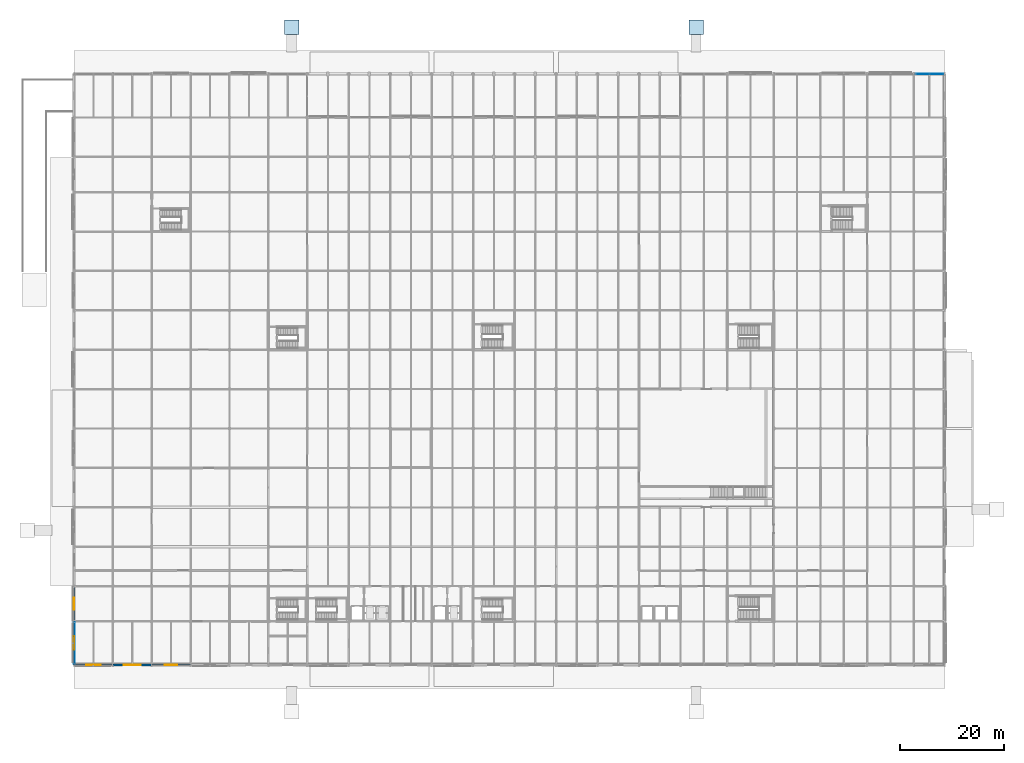
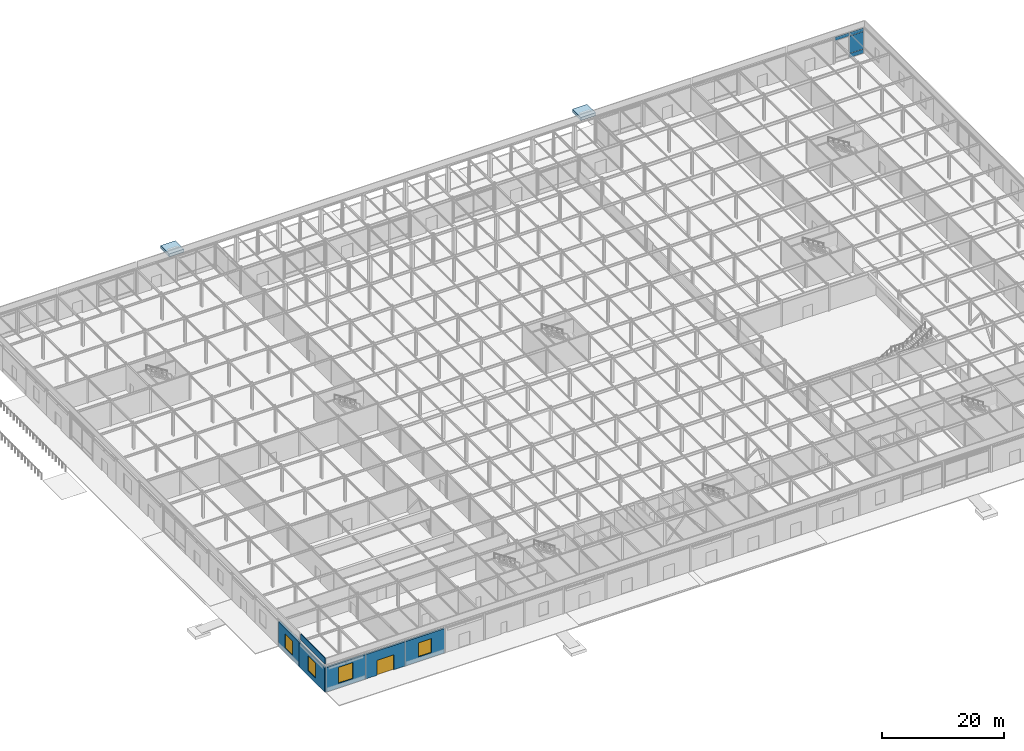
# One storey, part 59 of 89: 6 walls, 4 plates, 4 windows, 2 slabs, 1 door, 5 openings, 1 element without a shape of its own.
"""IFC4 building model written with IfcOpenShell, lengths in metres."""

from ifc_helpers import new_model, si_unit, direction, frame, frame_2d, origin, origin_2d, place, context, subcontext, project, spatial, polyline, rectangle, outline, extrude, material, layer, layer_set, type_object, element, fill, aggregate, save


model = new_model("IFC4")

# Units and contexts
model_context = context("Model", 3, precision=1e-05, world=origin(), true_north=direction((0.0, 1.0)))
body_context = subcontext(model_context, "Body", "Model", "MODEL_VIEW")
ifc_project = project(units=[si_unit("LENGTHUNIT", "METRE"), si_unit("AREAUNIT", "SQUARE_METRE"), si_unit("VOLUMEUNIT", "CUBIC_METRE"), si_unit("PLANEANGLEUNIT", "RADIAN"), si_unit("MASSUNIT", "GRAM", prefix="KILO")], contexts=[model_context])

# Site, building, storey
site_placement = place(None, origin())
site = spatial("IfcSite", under=ifc_project, at=site_placement, CompositionType="ELEMENT")
building_placement = place(site_placement, origin())
building = spatial("IfcBuilding", under=site, at=building_placement, Name="Shalkamar Park Central Library", CompositionType="ELEMENT")
storey_placement = place(building_placement, origin())
storey = spatial("IfcBuildingStorey", under=building, at=storey_placement, Name="L01", CompositionType="ELEMENT", Elevation=0.0)

# Slabs
ifc_material_1 = material(Name="Concrete C35/45", Category="concrete")
ifc_layer_1 = layer(ifc_material_1, 0.60009765625)
ifc_layer_set_1 = layer_set([ifc_layer_1], Name="Concrete C35/45")
slab_type = type_object("IfcSlabType", Name="Basement Base Slab 600", PredefinedType="BASESLAB", material=ifc_layer_set_1)
slab_1_placement = place(storey_placement, frame((0.0, 0.0, -0.89990234375)))
element("IfcSlab", 1, at=slab_1_placement, inside=storey, type_object=slab_type, Name="Approach Grade Pad RMP-N-W", PredefinedType="BASESLAB", context=body_context, shape_type="SweptSolid", body=[
    extrude(outline(polyline([(160.60009765625, 361.60009765625), (163.39990234375, 361.60009765625), (163.39990234375, 364.39990234375), (160.60009765625, 364.39990234375), (160.60009765625, 361.60009765625)])), origin(), (0.0, 0.0, 1.0), 0.599853515625),
])
slab_2_placement = place(storey_placement, frame((0.0, 0.0, -0.89990234375)))
element("IfcSlab", 2, at=slab_2_placement, inside=storey, type_object=slab_type, Name="Approach Grade Pad RMP-N-E", PredefinedType="BASESLAB", context=body_context, shape_type="SweptSolid", body=[
    extrude(outline(polyline([(238.60009765625, 361.60009765625), (241.39990234375, 361.60009765625), (241.39990234375, 364.39990234375), (238.60009765625, 364.39990234375), (238.60009765625, 361.60009765625)])), origin(), (0.0, 0.0, 1.0), 0.599853515625),
])

# Curtain wall, plates
ifc_material_2 = material(Name="Thermally broken aluminium and triple low-e curtain wall", Category="aluminium")
ifc_layer_2 = layer(ifc_material_2, 0.27001953125)
ifc_layer_set_2 = layer_set([ifc_layer_2], Name="UnitisedCurtainWall_13")
curtain_wall_type = type_object("IfcCurtainWallType", Name="Unitised Curtain Wall 13", PredefinedType="USERDEFINED", material=ifc_layer_set_2)
curtain_wall_placement = place(storey_placement, origin())
curtain_wall = element("IfcCurtainWall", 3, at=curtain_wall_placement, inside=storey, type_object=curtain_wall_type, Name="Unitised Curtain Wall CW-L01-014", ObjectType="UNITISED CURTAIN WALL", PredefinedType="USERDEFINED")
ifc_material_3 = material(Name="Triple-glazed laminated glass", Category="glass")
ifc_layer_3 = layer(ifc_material_3, 0.06005859375)
ifc_layer_set_3 = layer_set([ifc_layer_3], Name="TripleGlazedPodiumPanel_60")
plate_type = type_object("IfcPlateType", Name="Triple Glazed Podium Panel 60", PredefinedType="CURTAIN_PANEL", material=ifc_layer_set_3)
plate_1_placement = place(storey_placement, frame((283.6533203125, 354.0, 4.4326171875), z_axis=(0.0, 0.0, 1.0), x_axis=(1.0, 0.0, 0.0)))
plate_1 = element("IfcPlate", 4, at=plate_1_placement, type_object=plate_type, Name="CW-13 panel 1.3", PredefinedType="CURTAIN_PANEL", context=body_context, shape_type="SweptSolid", body=[
    extrude(rectangle(XDim=2.638427734375, YDim=0.06005859375, at=origin_2d()), origin(), (0.0, 0.0, 1.0), 0.652587890625),
])
plate_2_placement = place(storey_placement, frame((286.371826171875, 354.0, 0.06494140625), z_axis=(0.0, 0.0, 1.0), x_axis=(1.0, 0.0, 0.0)))
plate_2 = element("IfcPlate", 5, at=plate_2_placement, type_object=plate_type, Name="CW-13 panel 2.1", PredefinedType="CURTAIN_PANEL", context=body_context, shape_type="SweptSolid", body=[
    extrude(rectangle(XDim=2.638427734375, YDim=0.06005859375, at=origin_2d()), origin(), (0.0, 0.0, 1.0), 0.802490234375),
])
plate_3_placement = place(storey_placement, frame((286.371826171875, 354.0, 0.932373046875), z_axis=(0.0, 0.0, 1.0), x_axis=(1.0, 0.0, 0.0)))
plate_3 = element("IfcPlate", 6, at=plate_3_placement, type_object=plate_type, Name="CW-13 panel 2.2", PredefinedType="CURTAIN_PANEL", context=body_context, shape_type="SweptSolid", body=[
    extrude(rectangle(XDim=2.638427734375, YDim=0.06005859375, at=origin_2d()), origin(), (0.0, 0.0, 1.0), 3.43505859375),
])
plate_4_placement = place(storey_placement, frame((286.371826171875, 354.0, 4.4326171875), z_axis=(0.0, 0.0, 1.0), x_axis=(1.0, 0.0, 0.0)))
plate_4 = element("IfcPlate", 7, at=plate_4_placement, type_object=plate_type, Name="CW-13 panel 2.3", PredefinedType="CURTAIN_PANEL", context=body_context, shape_type="SweptSolid", body=[
    extrude(rectangle(XDim=2.638427734375, YDim=0.06005859375, at=origin_2d()), origin(), (0.0, 0.0, 1.0), 0.652587890625),
])
aggregate(curtain_wall, [plate_1, plate_2, plate_3, plate_4])

# Wall, opening, window
ifc_material_4 = material(Name="Concrete C35/45 precast", Category="concrete")
ifc_layer_4 = layer(ifc_material_4, 0.320068359375)
ifc_layer_set_4 = layer_set([ifc_layer_4], Name="Concrete C35/45 precast")
wall_type_1 = type_object("IfcWallType", Name="Granite Plinth External Wall 320", PredefinedType="SOLIDWALL", material=ifc_layer_set_4)
wall_1_placement = place(storey_placement, frame((120.006103515625, 240.0, 0.0), z_axis=(0.0, 0.0, 1.0), x_axis=(1.0, 0.0, 0.0)))
wall_1 = element("IfcWall", 8, at=wall_1_placement, inside=storey, type_object=wall_type_1, Name="Exterior Facade Wall WL-EXT-L01-001", PredefinedType="SOLIDWALL", context=body_context, shape_type="SweptSolid", body=[
    extrude(rectangle(XDim=7.48779296875, YDim=0.320068359375, at=frame_2d((3.743896484375, 0.0))), origin(), (0.0, 0.0, 1.0), 4.8779296875),
])
opening_1_placement = place(wall_1_placement, frame((2.343994140625, 0.0, 0.949951171875)))
opening_1 = element("IfcOpeningElement", 9, at=opening_1_placement, cuts=wall_1, Name="Opening WN-01", PredefinedType="OPENING", context=body_context, shape_type="SweptSolid", body=[
    extrude(rectangle(XDim=2.800048828125, YDim=3.199951171875, at=frame_2d((1.39990234375, 1.60009765625))), frame((0.0, 0.1748046875, 0.0), z_axis=(0.0, -1.0, 0.0), x_axis=(1.0, 0.0, 0.0)), (0.0, 0.0, 1.0), 0.349853515625),
])
ifc_material_5 = material(Name="Thermally broken aluminium and triple low-e glass", Category="glass")
window_type_1 = type_object("IfcWindowType", Name="Podium Window 2800x3200", PartitioningType="DOUBLE_PANEL_VERTICAL", PredefinedType="WINDOW", material=ifc_material_5)
window_1_placement = place(opening_1_placement, origin())
window_1 = element("IfcWindow", 10, at=window_1_placement, inside=storey, type_object=window_type_1, Name="Facade Window WN-L01-001", OverallHeight=3.199951171875, OverallWidth=2.800048828125, PartitioningType="DOUBLE_PANEL_VERTICAL", PredefinedType="WINDOW", context=body_context, shape_type="SweptSolid", body=[
    extrude(rectangle(XDim=2.800048828125, YDim=3.199951171875, at=frame_2d((1.39990234375, 1.60009765625))), frame((0.0, 0.030029296875, 0.0), z_axis=(0.0, -1.0, 0.0), x_axis=(1.0, 0.0, 0.0)), (0.0, 0.0, 1.0), 0.06005859375),
])
fill(opening_1, window_1)

# Wall, opening, door
wall_2_placement = place(storey_placement, frame((127.506103515625, 240.0, 0.0), z_axis=(0.0, 0.0, 1.0), x_axis=(1.0, 0.0, 0.0)))
wall_2 = element("IfcWall", 11, at=wall_2_placement, inside=storey, type_object=wall_type_1, Name="Exterior Facade Wall WL-EXT-L01-002", PredefinedType="SOLIDWALL", context=body_context, shape_type="SweptSolid", body=[
    extrude(rectangle(XDim=7.48779296875, YDim=0.320068359375, at=frame_2d((3.743896484375, 0.0))), origin(), (0.0, 0.0, 1.0), 4.8779296875),
])
opening_2_placement = place(wall_2_placement, frame((2.14404296875, 0.0, 0.0)))
opening_2 = element("IfcOpeningElement", 12, at=opening_2_placement, cuts=wall_2, Name="Opening ED-L01-001", PredefinedType="OPENING", context=body_context, shape_type="SweptSolid", body=[
    extrude(rectangle(XDim=3.199951171875, YDim=3.0, at=frame_2d((1.60009765625, 1.5))), frame((0.0, 0.1748046875, 0.0), z_axis=(0.0, -1.0, 0.0), x_axis=(1.0, 0.0, 0.0)), (0.0, 0.0, 1.0), 0.349853515625),
])
ifc_material_6 = material(Name="Thermally broken insulated aluminium and glazed door", Category="aluminium")
door_type = type_object("IfcDoorType", Name="Book Loading Dock Shutter 3200x3000", OperationType="DOUBLE_DOOR_SINGLE_SWING", PredefinedType="DOOR", material=ifc_material_6)
door_placement = place(opening_2_placement, frame((3.199951171875, 0.0, 0.0), z_axis=(0.0, 0.0, 1.0), x_axis=(-1.0, 0.0, 0.0)))
door = element("IfcDoor", 13, at=door_placement, inside=storey, type_object=door_type, Name="Book Delivery Loading Dock Shutter", OperationType="ROLLINGUP", OverallHeight=3.0, OverallWidth=3.199951171875, PredefinedType="DOOR", context=body_context, shape_type="SweptSolid", body=[
    extrude(rectangle(XDim=3.199951171875, YDim=3.0, at=frame_2d((1.60009765625, 1.5))), frame((0.0, 0.02490234375, 0.0), z_axis=(0.0, -1.0, 0.0), x_axis=(1.0, 0.0, 0.0)), (0.0, 0.0, 1.0), 0.050048828125),
])
fill(opening_2, door)

# Wall, opening, window
wall_3_placement = place(storey_placement, frame((135.006103515625, 240.0, 0.0), z_axis=(0.0, 0.0, 1.0), x_axis=(1.0, 0.0, 0.0)))
wall_3 = element("IfcWall", 14, at=wall_3_placement, inside=storey, type_object=wall_type_1, Name="Exterior Facade Wall WL-EXT-L01-003", PredefinedType="SOLIDWALL", context=body_context, shape_type="SweptSolid", body=[
    extrude(rectangle(XDim=7.48779296875, YDim=0.320068359375, at=frame_2d((3.743896484375, 0.0))), origin(), (0.0, 0.0, 1.0), 4.8779296875),
])
opening_3_placement = place(wall_3_placement, frame((2.5439453125, 0.0, 0.949951171875)))
opening_3 = element("IfcOpeningElement", 15, at=opening_3_placement, cuts=wall_3, Name="Opening WN-03", PredefinedType="OPENING", context=body_context, shape_type="SweptSolid", body=[
    extrude(rectangle(XDim=2.39990234375, YDim=2.800048828125, at=frame_2d((1.199951171875, 1.39990234375))), frame((0.0, 0.1748046875, 0.0), z_axis=(0.0, -1.0, 0.0), x_axis=(1.0, 0.0, 0.0)), (0.0, 0.0, 1.0), 0.349853515625),
])
window_type_2 = type_object("IfcWindowType", Name="Podium Window 2400x2800", PartitioningType="DOUBLE_PANEL_VERTICAL", PredefinedType="WINDOW", material=ifc_material_5)
window_2_placement = place(opening_3_placement, origin())
window_2 = element("IfcWindow", 16, at=window_2_placement, inside=storey, type_object=window_type_2, Name="Facade Window WN-L01-002", OverallHeight=2.800048828125, OverallWidth=2.39990234375, PartitioningType="DOUBLE_PANEL_VERTICAL", PredefinedType="WINDOW", context=body_context, shape_type="SweptSolid", body=[
    extrude(rectangle(XDim=2.39990234375, YDim=2.800048828125, at=frame_2d((1.199951171875, 1.39990234375))), frame((0.0, 0.030029296875, 0.0), z_axis=(0.0, -1.0, 0.0), x_axis=(1.0, 0.0, 0.0)), (0.0, 0.0, 1.0), 0.06005859375),
])
fill(opening_3, window_2)

wall_4_placement = place(storey_placement, frame((120.0, 240.006103515625, 0.0), z_axis=(0.0, 0.0, 1.0), x_axis=(0.0, 1.0, 0.0)))
wall_4 = element("IfcWall", 17, at=wall_4_placement, inside=storey, type_object=wall_type_1, Name="Exterior Facade Wall WL-EXT-L01-029", PredefinedType="SOLIDWALL", context=body_context, shape_type="SweptSolid", body=[
    extrude(rectangle(XDim=8.387939453125, YDim=0.320068359375, at=frame_2d((4.19384765625, 0.0))), origin(), (0.0, 0.0, 1.0), 4.837890625),
])
opening_4_placement = place(wall_4_placement, frame((2.89404296875, 0.0, 0.949951171875)))
opening_4 = element("IfcOpeningElement", 18, at=opening_4_placement, cuts=wall_4, Name="Opening WN-02", PredefinedType="OPENING", context=body_context, shape_type="SweptSolid", body=[
    extrude(rectangle(XDim=2.60009765625, YDim=3.0, at=frame_2d((1.300048828125, 1.5))), frame((0.0, 0.1748046875, 0.0), z_axis=(0.0, -1.0, 0.0), x_axis=(1.0, 0.0, 0.0)), (0.0, 0.0, 1.0), 0.349853515625),
])
window_type_3 = type_object("IfcWindowType", Name="Podium Window 2600x3000", PartitioningType="DOUBLE_PANEL_VERTICAL", PredefinedType="WINDOW", material=ifc_material_5)
window_3_placement = place(opening_4_placement, origin())
window_3 = element("IfcWindow", 19, at=window_3_placement, inside=storey, type_object=window_type_3, Name="Facade Window WN-L01-006", OverallHeight=3.0, OverallWidth=2.60009765625, PartitioningType="DOUBLE_PANEL_VERTICAL", PredefinedType="WINDOW", context=body_context, shape_type="SweptSolid", body=[
    extrude(rectangle(XDim=2.60009765625, YDim=3.0, at=frame_2d((1.300048828125, 1.5))), frame((0.0, 0.030029296875, 0.0), z_axis=(0.0, -1.0, 0.0), x_axis=(1.0, 0.0, 0.0)), (0.0, 0.0, 1.0), 0.06005859375),
])
fill(opening_4, window_3)

wall_5_placement = place(storey_placement, frame((120.0, 248.406005859375, 0.0), z_axis=(0.0, 0.0, 1.0), x_axis=(0.0, 1.0, 0.0)))
wall_5 = element("IfcWall", 20, at=wall_5_placement, inside=storey, type_object=wall_type_1, Name="Exterior Facade Wall WL-EXT-L01-030", PredefinedType="SOLIDWALL", context=body_context, shape_type="SweptSolid", body=[
    extrude(rectangle(XDim=6.7880859375, YDim=0.320068359375, at=frame_2d((3.39404296875, 0.0))), origin(), (0.0, 0.0, 1.0), 4.91796875),
])
opening_5_placement = place(wall_5_placement, frame((2.194091796875, 0.0, 0.949951171875)))
opening_5 = element("IfcOpeningElement", 21, at=opening_5_placement, cuts=wall_5, Name="Opening WN-03", PredefinedType="OPENING", context=body_context, shape_type="SweptSolid", body=[
    extrude(rectangle(XDim=2.39990234375, YDim=2.800048828125, at=frame_2d((1.199951171875, 1.39990234375))), frame((0.0, 0.1748046875, 0.0), z_axis=(0.0, -1.0, 0.0), x_axis=(1.0, 0.0, 0.0)), (0.0, 0.0, 1.0), 0.349853515625),
])
window_4_placement = place(opening_5_placement, origin())
window_4 = element("IfcWindow", 22, at=window_4_placement, inside=storey, type_object=window_type_2, Name="Facade Window WN-L01-007", OverallHeight=2.800048828125, OverallWidth=2.39990234375, PartitioningType="DOUBLE_PANEL_VERTICAL", PredefinedType="WINDOW", context=body_context, shape_type="SweptSolid", body=[
    extrude(rectangle(XDim=2.39990234375, YDim=2.800048828125, at=frame_2d((1.199951171875, 1.39990234375))), frame((0.0, 0.030029296875, 0.0), z_axis=(0.0, -1.0, 0.0), x_axis=(1.0, 0.0, 0.0)), (0.0, 0.0, 1.0), 0.06005859375),
])
fill(opening_5, window_4)

# Wall
ifc_layer_5 = layer(ifc_material_4, 0.179931640625)
ifc_layer_set_5 = layer_set([ifc_layer_5], Name="Concrete C35/45 precast")
wall_type_2 = type_object("IfcWallType", Name="Roof Parapet Wall 180", PredefinedType="PARAPET", material=ifc_layer_set_5)
wall_6_placement = place(storey_placement, frame((120.10009765625, 240.199951171875, 5.39990234375), z_axis=(0.0, 0.0, 1.0), x_axis=(0.0, 1.0, 0.0)))
element("IfcWall", 23, at=wall_6_placement, inside=storey, type_object=wall_type_2, Name="Roof Parapet Wall L01-02", PredefinedType="PARAPET", context=body_context, shape_type="SweptSolid", body=[
    extrude(rectangle(XDim=8.0, YDim=0.179931640625, at=frame_2d((4.0, 0.0))), origin(), (0.0, 0.0, 1.0), 1.2001953125),
])

save(model, "model.ifc")
